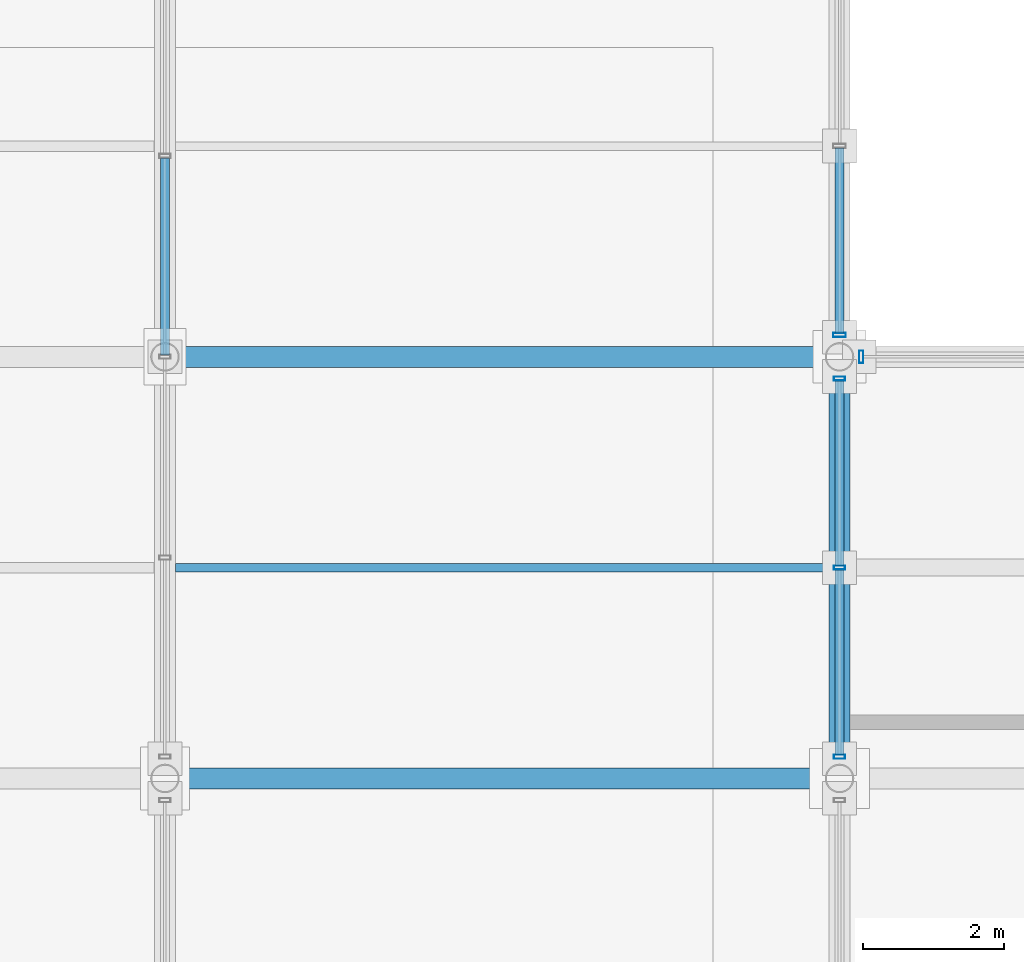
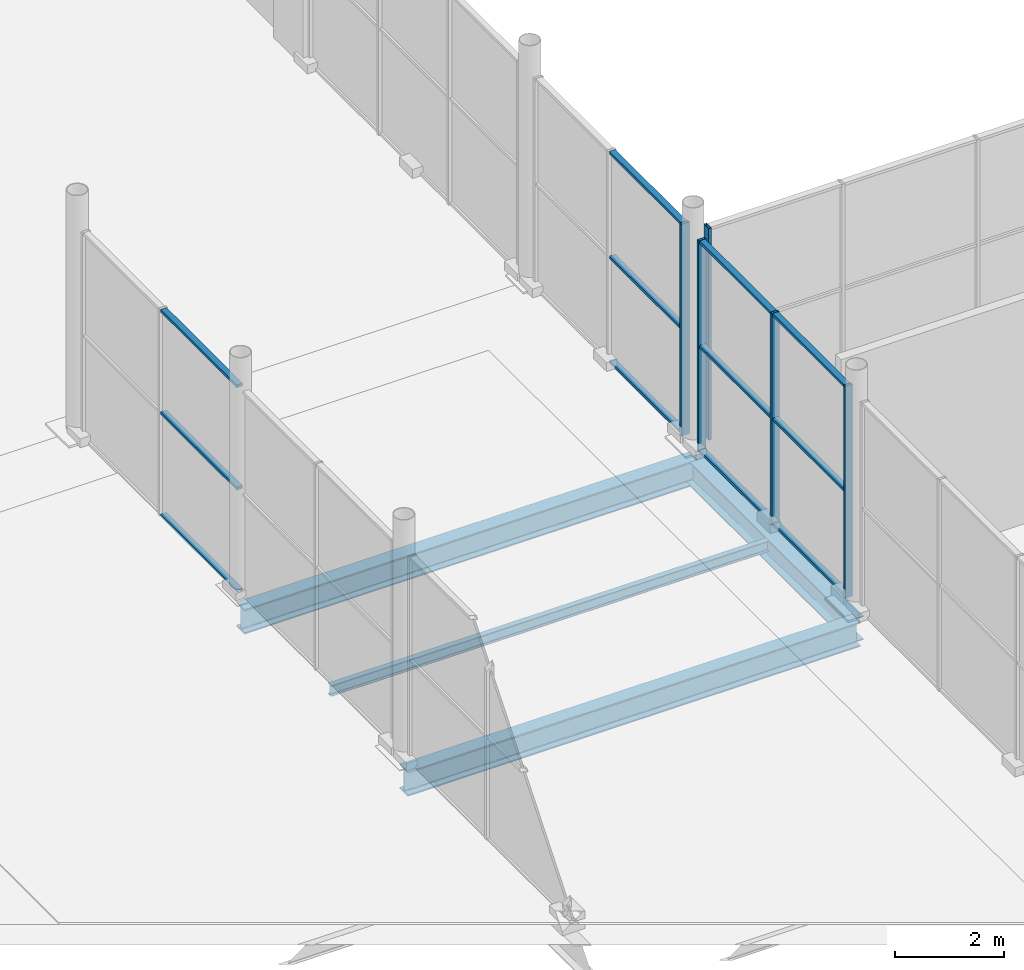
# One storey, part 76 of 196: 17 members, 4 beams, 4 elements without a shape of their own.
"""IFC4 building model written with IfcOpenShell, lengths in metres."""

from ifc_helpers import new_model, si_unit, direction, frame, origin, origin_2d, place, context, subcontext, project, spatial, hollow_rectangle, i_section, extrude, material, material_profile, profile_set, type_object, element, aggregate, save


model = new_model("IFC4")

# Units and contexts
model_context = context("Model", 3, precision=1e-05, world=origin(), true_north=direction((0.0, 1.0)))
body_context = subcontext(model_context, "Body", "Model", "MODEL_VIEW")
ifc_project = project(units=[si_unit("LENGTHUNIT", "METRE"), si_unit("AREAUNIT", "SQUARE_METRE"), si_unit("VOLUMEUNIT", "CUBIC_METRE"), si_unit("PLANEANGLEUNIT", "RADIAN"), si_unit("MASSUNIT", "GRAM", prefix="KILO")], contexts=[model_context])

# Site, building, storey
site_placement = place(None, origin())
site = spatial("IfcSite", under=ifc_project, at=site_placement, CompositionType="ELEMENT")
building_placement = place(site_placement, origin())
building = spatial("IfcBuilding", under=site, at=building_placement, Name="Merenkruunu Market Hall", CompositionType="ELEMENT")
storey_placement = place(building_placement, origin())
storey = spatial("IfcBuildingStorey", under=building, at=storey_placement, Name="L00", CompositionType="ELEMENT", Elevation=0.0)

# Curtain wall, members
ifc_material_1 = material(Name="Powder-coated aluminium", Category="aluminium")
curtain_wall_type_1 = type_object("IfcCurtainWallType", Name="Glazed Curtain Wall CW05", PredefinedType="USERDEFINED", material=ifc_material_1)
curtain_wall_1_placement = place(storey_placement, origin())
curtain_wall_1 = element("IfcCurtainWall", 1, at=curtain_wall_1_placement, inside=storey, type_object=curtain_wall_type_1, Name="CW-L00-CWM01-154", ObjectType="GLAZED_FACADE", PredefinedType="USERDEFINED")
ifc_material_profile_1 = material_profile(ifc_material_1, hollow_rectangle(XDim=0.06005859375, YDim=0.159912109375, WallThickness=0.00390625, at=origin_2d()), Name="ALU 60x160x4")
ifc_profile_set_1 = profile_set([ifc_material_profile_1], Name="Powder-coated aluminium")
member_type_1 = type_object("IfcMemberType", Name="Curtain Wall Mullion CWM01", PredefinedType="MULLION", material=ifc_profile_set_1)
member_1_placement = place(storey_placement, frame((76.800048828125, 39.909912109375, 0.0), z_axis=(0.0, 0.0, 1.0), x_axis=(0.0, 1.0, 0.0)))
member_1 = element("IfcMember", 2, at=member_1_placement, type_object=member_type_1, Name="CW05 mullion 1", PredefinedType="MULLION", context=body_context, shape_type="SweptSolid", body=[
    extrude(hollow_rectangle(XDim=0.06005859375, YDim=0.159912109375, WallThickness=0.00390625, at=origin_2d()), origin(), (0.0, 0.0, 1.0), 4.75),
])
member_2_placement = place(storey_placement, frame((76.800048828125, 42.60009765625, 0.0), z_axis=(0.0, 0.0, 1.0), x_axis=(0.0, 1.0, 0.0)))
member_2 = element("IfcMember", 3, at=member_2_placement, type_object=member_type_1, Name="CW05 mullion 2", PredefinedType="MULLION", context=body_context, shape_type="SweptSolid", body=[
    extrude(hollow_rectangle(XDim=0.06005859375, YDim=0.159912109375, WallThickness=0.00390625, at=origin_2d()), origin(), (0.0, 0.0, 1.0), 4.75),
])
member_3_placement = place(storey_placement, frame((76.800048828125, 45.2900390625, 0.0), z_axis=(0.0, 0.0, 1.0), x_axis=(0.0, 1.0, 0.0)))
member_3 = element("IfcMember", 4, at=member_3_placement, type_object=member_type_1, Name="CW05 mullion 3", PredefinedType="MULLION", context=body_context, shape_type="SweptSolid", body=[
    extrude(hollow_rectangle(XDim=0.06005859375, YDim=0.159912109375, WallThickness=0.00390625, at=origin_2d()), origin(), (0.0, 0.0, 1.0), 4.75),
])

# Curtain wall, member
curtain_wall_type_2 = type_object("IfcCurtainWallType", Name="Glazed Curtain Wall CW12", PredefinedType="USERDEFINED", material=ifc_material_1)
curtain_wall_2_placement = place(storey_placement, origin())
curtain_wall_2 = element("IfcCurtainWall", 5, at=curtain_wall_2_placement, inside=storey, type_object=curtain_wall_type_2, Name="CW-L00-CWM02-156", ObjectType="GLAZED_FACADE", PredefinedType="USERDEFINED")
ifc_material_profile_2 = material_profile(ifc_material_1, hollow_rectangle(XDim=0.06005859375, YDim=0.179931640625, WallThickness=0.00390625, at=origin_2d()), Name="ALU 60x180x4")
ifc_profile_set_2 = profile_set([ifc_material_profile_2], Name="Powder-coated aluminium")
member_type_2 = type_object("IfcMemberType", Name="Curtain Wall Mullion CWM02", PredefinedType="MULLION", material=ifc_profile_set_2)
member_4_placement = place(storey_placement, frame((76.800048828125, 45.909912109375, 0.0), z_axis=(0.0, 0.0, 1.0), x_axis=(0.0, -1.0, 0.0)))
member_4 = element("IfcMember", 6, at=member_4_placement, type_object=member_type_2, Name="CW12 mullion 3", PredefinedType="MULLION", context=body_context, shape_type="SweptSolid", body=[
    extrude(hollow_rectangle(XDim=0.06005859375, YDim=0.179931640625, WallThickness=0.00390625, at=origin_2d()), origin(), (0.0, 0.0, 1.0), 4.75),
])

curtain_wall_type_3 = type_object("IfcCurtainWallType", Name="Glazed Curtain Wall CW04", PredefinedType="USERDEFINED", material=ifc_material_1)
curtain_wall_3_placement = place(storey_placement, origin())
curtain_wall_3 = element("IfcCurtainWall", 7, at=curtain_wall_3_placement, inside=storey, type_object=curtain_wall_type_3, Name="CW-L00-CWM02-182", ObjectType="GLAZED_FACADE", PredefinedType="USERDEFINED")
member_5_placement = place(storey_placement, frame((77.110107421875, 45.60009765625, 0.0), z_axis=(0.0, 0.0, 1.0), x_axis=(1.0, 0.0, 0.0)))
member_5 = element("IfcMember", 8, at=member_5_placement, type_object=member_type_2, Name="CW04 mullion 1", PredefinedType="MULLION", context=body_context, shape_type="SweptSolid", body=[
    extrude(hollow_rectangle(XDim=0.06005859375, YDim=0.179931640625, WallThickness=0.00390625, at=origin_2d()), origin(), (0.0, 0.0, 1.0), 4.75),
])
aggregate(curtain_wall_3, [member_5])

# Member
ifc_material_profile_3 = material_profile(ifc_material_1, hollow_rectangle(XDim=0.06005859375, YDim=0.125, WallThickness=0.00390625, at=origin_2d()), Name="ALU 60x125x4")
ifc_profile_set_3 = profile_set([ifc_material_profile_3], Name="Powder-coated aluminium")
member_type_3 = type_object("IfcMemberType", Name="Curtain Wall Transom CWT01", PredefinedType="USERDEFINED", material=ifc_profile_set_3)
member_6_placement = place(storey_placement, frame((76.800048828125, 39.93994140625, 0.030029296875), z_axis=(0.0, 1.0, 0.0), x_axis=(0.0, 0.0, 1.0)))
member_6 = element("IfcMember", 9, at=member_6_placement, type_object=member_type_3, Name="CW05 transom 1.1", ObjectType="TRANSOM", PredefinedType="USERDEFINED", context=body_context, shape_type="SweptSolid", body=[
    extrude(hollow_rectangle(XDim=0.06005859375, YDim=0.125, WallThickness=0.00390625, at=origin_2d()), origin(), (0.0, 0.0, 1.0), 2.630126953125),
])

member_7_placement = place(storey_placement, frame((76.800048828125, 39.93994140625, 2.375), z_axis=(0.0, 1.0, 0.0), x_axis=(0.0, 0.0, 1.0)))
member_7 = element("IfcMember", 10, at=member_7_placement, type_object=member_type_3, Name="CW05 transom 1.2", ObjectType="TRANSOM", PredefinedType="USERDEFINED", context=body_context, shape_type="SweptSolid", body=[
    extrude(hollow_rectangle(XDim=0.06005859375, YDim=0.125, WallThickness=0.00390625, at=origin_2d()), origin(), (0.0, 0.0, 1.0), 2.630126953125),
])

member_8_placement = place(storey_placement, frame((76.800048828125, 39.93994140625, 4.719970703125), z_axis=(0.0, 1.0, 0.0), x_axis=(0.0, 0.0, 1.0)))
member_8 = element("IfcMember", 11, at=member_8_placement, type_object=member_type_3, Name="CW05 transom 1.3", ObjectType="TRANSOM", PredefinedType="USERDEFINED", context=body_context, shape_type="SweptSolid", body=[
    extrude(hollow_rectangle(XDim=0.06005859375, YDim=0.125, WallThickness=0.00390625, at=origin_2d()), origin(), (0.0, 0.0, 1.0), 2.630126953125),
])

member_9_placement = place(storey_placement, frame((76.800048828125, 42.6298828125, 0.030029296875), z_axis=(0.0, 1.0, 0.0), x_axis=(0.0, 0.0, 1.0)))
member_9 = element("IfcMember", 12, at=member_9_placement, type_object=member_type_3, Name="CW05 transom 2.1", ObjectType="TRANSOM", PredefinedType="USERDEFINED", context=body_context, shape_type="SweptSolid", body=[
    extrude(hollow_rectangle(XDim=0.06005859375, YDim=0.125, WallThickness=0.00390625, at=origin_2d()), origin(), (0.0, 0.0, 1.0), 2.630126953125),
])

member_10_placement = place(storey_placement, frame((76.800048828125, 42.6298828125, 2.375), z_axis=(0.0, 1.0, 0.0), x_axis=(0.0, 0.0, 1.0)))
member_10 = element("IfcMember", 13, at=member_10_placement, type_object=member_type_3, Name="CW05 transom 2.2", ObjectType="TRANSOM", PredefinedType="USERDEFINED", context=body_context, shape_type="SweptSolid", body=[
    extrude(hollow_rectangle(XDim=0.06005859375, YDim=0.125, WallThickness=0.00390625, at=origin_2d()), origin(), (0.0, 0.0, 1.0), 2.630126953125),
])

member_11_placement = place(storey_placement, frame((76.800048828125, 42.6298828125, 4.719970703125), z_axis=(0.0, 1.0, 0.0), x_axis=(0.0, 0.0, 1.0)))
member_11 = element("IfcMember", 14, at=member_11_placement, type_object=member_type_3, Name="CW05 transom 2.3", ObjectType="TRANSOM", PredefinedType="USERDEFINED", context=body_context, shape_type="SweptSolid", body=[
    extrude(hollow_rectangle(XDim=0.06005859375, YDim=0.125, WallThickness=0.00390625, at=origin_2d()), origin(), (0.0, 0.0, 1.0), 2.630126953125),
])

aggregate(curtain_wall_1, [member_1, member_2, member_3, member_6, member_7, member_8, member_9, member_10, member_11])

member_12_placement = place(storey_placement, frame((76.800048828125, 48.570068359375, 0.030029296875), z_axis=(0.0, -1.0, 0.0), x_axis=(0.0, 0.0, 1.0)))
member_12 = element("IfcMember", 15, at=member_12_placement, type_object=member_type_3, Name="CW12 transom 2.1", ObjectType="TRANSOM", PredefinedType="USERDEFINED", context=body_context, shape_type="SweptSolid", body=[
    extrude(hollow_rectangle(XDim=0.06005859375, YDim=0.125, WallThickness=0.00390625, at=origin_2d()), origin(), (0.0, 0.0, 1.0), 2.630126953125),
])

member_13_placement = place(storey_placement, frame((76.800048828125, 48.570068359375, 2.375), z_axis=(0.0, -1.0, 0.0), x_axis=(0.0, 0.0, 1.0)))
member_13 = element("IfcMember", 16, at=member_13_placement, type_object=member_type_3, Name="CW12 transom 2.2", ObjectType="TRANSOM", PredefinedType="USERDEFINED", context=body_context, shape_type="SweptSolid", body=[
    extrude(hollow_rectangle(XDim=0.06005859375, YDim=0.125, WallThickness=0.00390625, at=origin_2d()), origin(), (0.0, 0.0, 1.0), 2.630126953125),
])

member_14_placement = place(storey_placement, frame((76.800048828125, 48.570068359375, 4.719970703125), z_axis=(0.0, -1.0, 0.0), x_axis=(0.0, 0.0, 1.0)))
member_14 = element("IfcMember", 17, at=member_14_placement, type_object=member_type_3, Name="CW12 transom 2.3", ObjectType="TRANSOM", PredefinedType="USERDEFINED", context=body_context, shape_type="SweptSolid", body=[
    extrude(hollow_rectangle(XDim=0.06005859375, YDim=0.125, WallThickness=0.00390625, at=origin_2d()), origin(), (0.0, 0.0, 1.0), 2.630126953125),
])

aggregate(curtain_wall_2, [member_4, member_12, member_13, member_14])

# Curtain wall, members
curtain_wall_type_4 = type_object("IfcCurtainWallType", Name="Glazed Curtain Wall CW15", PredefinedType="USERDEFINED", material=ifc_material_1)
curtain_wall_4_placement = place(storey_placement, origin())
curtain_wall_4 = element("IfcCurtainWall", 18, at=curtain_wall_4_placement, inside=storey, type_object=curtain_wall_type_4, Name="CW-L00-CWM01-172", ObjectType="GLAZED_FACADE", PredefinedType="USERDEFINED")
member_15_placement = place(storey_placement, frame((67.199951171875, 45.6298828125, 0.030029296875), z_axis=(0.0, 1.0, 0.0), x_axis=(0.0, 0.0, 1.0)))
member_15 = element("IfcMember", 19, at=member_15_placement, type_object=member_type_3, Name="CW15 transom 3.1", ObjectType="TRANSOM", PredefinedType="USERDEFINED", context=body_context, shape_type="SweptSolid", body=[
    extrude(hollow_rectangle(XDim=0.06005859375, YDim=0.125, WallThickness=0.00390625, at=origin_2d()), origin(), (0.0, 0.0, 1.0), 2.800048828125),
])
member_16_placement = place(storey_placement, frame((67.199951171875, 45.6298828125, 2.324951171875), z_axis=(0.0, 1.0, 0.0), x_axis=(0.0, 0.0, 1.0)))
member_16 = element("IfcMember", 20, at=member_16_placement, type_object=member_type_3, Name="CW15 transom 3.2", ObjectType="TRANSOM", PredefinedType="USERDEFINED", context=body_context, shape_type="SweptSolid", body=[
    extrude(hollow_rectangle(XDim=0.06005859375, YDim=0.125, WallThickness=0.00390625, at=origin_2d()), origin(), (0.0, 0.0, 1.0), 2.800048828125),
])
member_17_placement = place(storey_placement, frame((67.199951171875, 45.6298828125, 4.6201171875), z_axis=(0.0, 1.0, 0.0), x_axis=(0.0, 0.0, 1.0)))
member_17 = element("IfcMember", 21, at=member_17_placement, type_object=member_type_3, Name="CW15 transom 3.3", ObjectType="TRANSOM", PredefinedType="USERDEFINED", context=body_context, shape_type="SweptSolid", body=[
    extrude(hollow_rectangle(XDim=0.06005859375, YDim=0.125, WallThickness=0.00390625, at=origin_2d()), origin(), (0.0, 0.0, 1.0), 2.800048828125),
])
aggregate(curtain_wall_4, [member_15, member_16, member_17])

# Beams
ifc_material_2 = material(Name="Steel S355J2", Category="steel")
ifc_material_profile_4 = material_profile(ifc_material_2, i_section(OverallWidth=0.300048828125, OverallDepth=0.550048828125, WebThickness=0.014892578125, FlangeThickness=0.029052734375, FilletRadius=0.027099609375, at=origin_2d()), Name="HEB 550")
ifc_profile_set_4 = profile_set([ifc_material_profile_4], Name="Steel S355J2")
beam_type_1 = type_object("IfcBeamType", Name="Primary Floor Girder B02", PredefinedType="BEAM", material=ifc_profile_set_4)
for number, where, z_axis, x_axis, name in (
    (22, (67.199951171875, 39.60009765625, -0.574951171875), (1.0, 0.0, 0.0), (0.0, 1.0, 0.0), "BM-L00-B02-0052"),
    (23, (67.199951171875, 45.60009765625, -0.574951171875), (1.0, 0.0, 0.0), (0.0, 1.0, 0.0), "BM-L00-B02-0070"),
):
    element("IfcBeam", number, at=place(storey_placement, frame(where, z_axis=z_axis, x_axis=x_axis)), inside=storey, type_object=beam_type_1, Name=name, PredefinedType="BEAM", context=body_context, shape_type="SweptSolid", body=[
        extrude(i_section(OverallWidth=0.300048828125, OverallDepth=0.550048828125, WebThickness=0.014892578125, FlangeThickness=0.029052734375, FilletRadius=0.027099609375, at=origin_2d()), origin(), (0.0, 0.0, 1.0), 9.60009765625),
    ])
ifc_material_profile_5 = material_profile(ifc_material_2, i_section(OverallWidth=0.300048828125, OverallDepth=0.5400390625, WebThickness=0.012451171875, FlangeThickness=0.02392578125, FilletRadius=0.027099609375, at=origin_2d()), Name="HEA 550")
ifc_profile_set_5 = profile_set([ifc_material_profile_5], Name="Steel S355J2")
beam_type_2 = type_object("IfcBeamType", Name="Primary Floor Girder B06", PredefinedType="BEAM", material=ifc_profile_set_5)
beam_1_placement = place(storey_placement, frame((76.800048828125, 39.60009765625, -0.570068359375), z_axis=(0.0, 1.0, 0.0), x_axis=(-1.0, 0.0, 0.0)))
element("IfcBeam", 24, at=beam_1_placement, inside=storey, type_object=beam_type_2, Name="BM-L00-B06-0205", PredefinedType="BEAM", context=body_context, shape_type="SweptSolid", body=[
    extrude(i_section(OverallWidth=0.300048828125, OverallDepth=0.5400390625, WebThickness=0.012451171875, FlangeThickness=0.02392578125, FilletRadius=0.027099609375, at=origin_2d()), origin(), (0.0, 0.0, 1.0), 6.0),
])
ifc_material_profile_6 = material_profile(ifc_material_2, i_section(OverallWidth=0.1201171875, OverallDepth=0.239990234375, WebThickness=0.006103515625, FlangeThickness=0.009765625, FilletRadius=0.014892578125, at=origin_2d()), Name="IPE 240")
ifc_profile_set_6 = profile_set([ifc_material_profile_6], Name="Steel S355J2")
beam_type_3 = type_object("IfcBeamType", Name="Secondary Floor Joist J05", PredefinedType="JOIST", material=ifc_profile_set_6)
beam_2_placement = place(storey_placement, frame((67.35302734375, 42.60009765625, -0.419921875), z_axis=(1.0, 0.0, 0.0), x_axis=(0.0, 1.0, 0.0)))
element("IfcBeam", 25, at=beam_2_placement, inside=storey, type_object=beam_type_3, Name="BM-L00-J05-0364", PredefinedType="JOIST", context=body_context, shape_type="SweptSolid", body=[
    extrude(i_section(OverallWidth=0.1201171875, OverallDepth=0.239990234375, WebThickness=0.006103515625, FlangeThickness=0.009765625, FilletRadius=0.014892578125, at=origin_2d()), origin(), (0.0, 0.0, 1.0), 9.2939453125),
])

save(model, "model.ifc")
